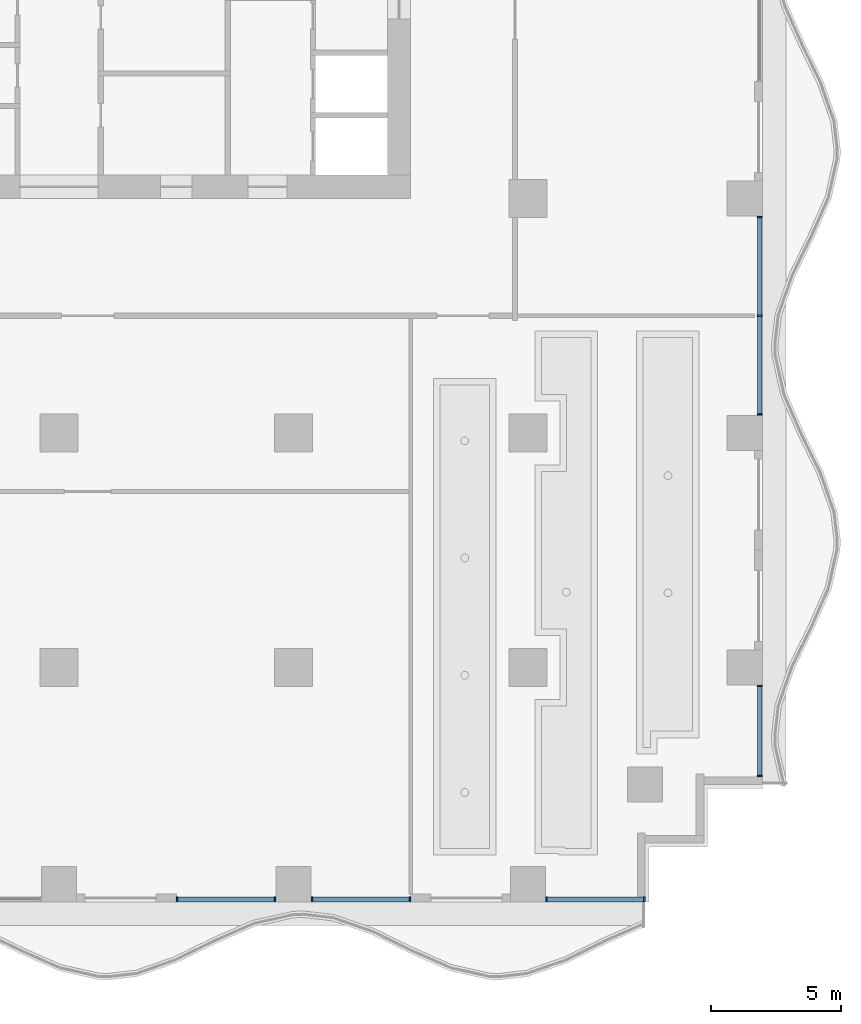
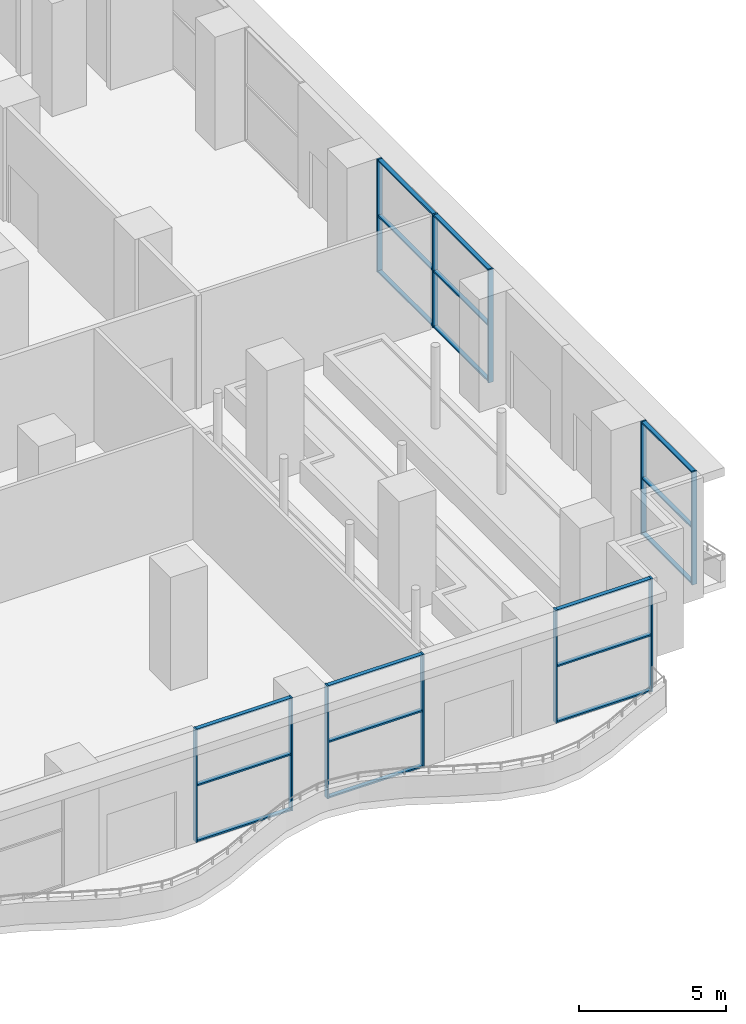
# One storey, part 3 of 18: 29 members, 5 elements without a shape of their own.
"""IFC4 building model written with IfcOpenShell, lengths in metres."""

from ifc_helpers import new_model, si_unit, direction, frame, origin, origin_2d, place, context, subcontext, project, spatial, rectangle, extrude, material, material_profile, profile_set, type_object, element, aggregate, save


model = new_model("IFC4")

# Units and contexts
model_context = context("Model", 3, precision=1e-05, world=origin(), true_north=direction((0.0, 1.0)))
body_context = subcontext(model_context, "Body", "Model", "MODEL_VIEW")
ifc_project = project(units=[si_unit("LENGTHUNIT", "METRE"), si_unit("AREAUNIT", "SQUARE_METRE"), si_unit("VOLUMEUNIT", "CUBIC_METRE"), si_unit("PLANEANGLEUNIT", "RADIAN"), si_unit("MASSUNIT", "GRAM", prefix="KILO")], contexts=[model_context])

# Site, building, storey
site_placement = place(None, origin())
site = spatial("IfcSite", under=ifc_project, at=site_placement, CompositionType="ELEMENT")
building_placement = place(site_placement, origin())
building = spatial("IfcBuilding", under=site, at=building_placement, Name="Orbiselva Terraces", CompositionType="ELEMENT")
storey_placement = place(building_placement, frame((0.0, 0.0, 64.4)))
storey = spatial("IfcBuildingStorey", under=building, at=storey_placement, Name="L16", CompositionType="ELEMENT", Elevation=64.4)

# Curtain wall, members
ifc_material_1 = material(Name="Clear low-e glazing in aluminium frame", Category="aluminium")
curtain_wall_type = type_object("IfcCurtainWallType", Name="ENV-CW-SKY", PredefinedType="NOTDEFINED", material=ifc_material_1)
curtain_wall_1_placement = place(storey_placement, origin())
curtain_wall_1 = element("IfcCurtainWall", 1, at=curtain_wall_1_placement, inside=storey, type_object=curtain_wall_type, Name="Curtain wall L16 S", PredefinedType="NOTDEFINED")
ifc_material_2 = material(Name="Anodised aluminium", Category="aluminium")
ifc_material_profile_1 = material_profile(ifc_material_2, rectangle(XDim=0.2, YDim=0.065, at=origin_2d()), Name="AL 65x200")
ifc_profile_set_1 = profile_set([ifc_material_profile_1], Name="Anodised aluminium")
member_type_1 = type_object("IfcMemberType", Name="ENV-CW-SKY-MULLION-65x200", PredefinedType="MULLION", material=ifc_profile_set_1)
member_1_placement = place(storey_placement, frame((4.5325, -22.4, 0.0), z_axis=(0.0, 0.0, 1.0), x_axis=(0.0, 1.0, 0.0)))
member_1 = element("IfcMember", 2, at=member_1_placement, type_object=member_type_1, Name="CW3 mullion 1", PredefinedType="MULLION", context=body_context, shape_type="SweptSolid", body=[
    extrude(rectangle(XDim=0.2, YDim=0.065, at=origin_2d()), origin(), (0.0, 0.0, 1.0), 4.7),
])
member_2_placement = place(storey_placement, frame((8.2925, -22.4, 0.0), z_axis=(0.0, 0.0, 1.0), x_axis=(0.0, 1.0, 0.0)))
member_2 = element("IfcMember", 3, at=member_2_placement, type_object=member_type_1, Name="CW3 mullion 2", PredefinedType="MULLION", context=body_context, shape_type="SweptSolid", body=[
    extrude(rectangle(XDim=0.2, YDim=0.065, at=origin_2d()), origin(), (0.0, 0.0, 1.0), 4.7),
])

curtain_wall_2_placement = place(storey_placement, origin())
curtain_wall_2 = element("IfcCurtainWall", 4, at=curtain_wall_2_placement, inside=storey, type_object=curtain_wall_type, Name="Curtain wall L16 S", PredefinedType="NOTDEFINED")
member_3_placement = place(storey_placement, frame((9.7075, -22.4, 0.0), z_axis=(0.0, 0.0, 1.0), x_axis=(0.0, 1.0, 0.0)))
member_3 = element("IfcMember", 5, at=member_3_placement, type_object=member_type_1, Name="CW3 mullion 1", PredefinedType="MULLION", context=body_context, shape_type="SweptSolid", body=[
    extrude(rectangle(XDim=0.2, YDim=0.065, at=origin_2d()), origin(), (0.0, 0.0, 1.0), 4.7),
])
member_4_placement = place(storey_placement, frame((13.4675, -22.4, 0.0), z_axis=(0.0, 0.0, 1.0), x_axis=(0.0, 1.0, 0.0)))
member_4 = element("IfcMember", 6, at=member_4_placement, type_object=member_type_1, Name="CW3 mullion 2", PredefinedType="MULLION", context=body_context, shape_type="SweptSolid", body=[
    extrude(rectangle(XDim=0.2, YDim=0.065, at=origin_2d()), origin(), (0.0, 0.0, 1.0), 4.7),
])

curtain_wall_3_placement = place(storey_placement, origin())
curtain_wall_3 = element("IfcCurtainWall", 7, at=curtain_wall_3_placement, inside=storey, type_object=curtain_wall_type, Name="Curtain wall L16 S", PredefinedType="NOTDEFINED")
member_5_placement = place(storey_placement, frame((18.7075, -22.4, 0.0), z_axis=(0.0, 0.0, 1.0), x_axis=(0.0, 1.0, 0.0)))
member_5 = element("IfcMember", 8, at=member_5_placement, type_object=member_type_1, Name="CW3 mullion 1", PredefinedType="MULLION", context=body_context, shape_type="SweptSolid", body=[
    extrude(rectangle(XDim=0.2, YDim=0.065, at=origin_2d()), origin(), (0.0, 0.0, 1.0), 4.7),
])
member_6_placement = place(storey_placement, frame((22.4675, -22.4, 0.0), z_axis=(0.0, 0.0, 1.0), x_axis=(0.0, 1.0, 0.0)))
member_6 = element("IfcMember", 9, at=member_6_placement, type_object=member_type_1, Name="CW3 mullion 2", PredefinedType="MULLION", context=body_context, shape_type="SweptSolid", body=[
    extrude(rectangle(XDim=0.2, YDim=0.065, at=origin_2d()), origin(), (0.0, 0.0, 1.0), 4.7),
])

curtain_wall_4_placement = place(storey_placement, origin())
curtain_wall_4 = element("IfcCurtainWall", 10, at=curtain_wall_4_placement, inside=storey, type_object=curtain_wall_type, Name="Curtain wall L16 E", PredefinedType="NOTDEFINED")
member_7_placement = place(storey_placement, frame((26.9, -17.6675, 0.0), z_axis=(0.0, 0.0, 1.0), x_axis=(-1.0, 0.0, 0.0)))
member_7 = element("IfcMember", 11, at=member_7_placement, type_object=member_type_1, Name="CW3 mullion 1", PredefinedType="MULLION", context=body_context, shape_type="SweptSolid", body=[
    extrude(rectangle(XDim=0.2, YDim=0.065, at=origin_2d()), origin(), (0.0, 0.0, 1.0), 4.7),
])
member_8_placement = place(storey_placement, frame((26.9, -14.2075, 0.0), z_axis=(0.0, 0.0, 1.0), x_axis=(-1.0, 0.0, 0.0)))
member_8 = element("IfcMember", 12, at=member_8_placement, type_object=member_type_1, Name="CW3 mullion 2", PredefinedType="MULLION", context=body_context, shape_type="SweptSolid", body=[
    extrude(rectangle(XDim=0.2, YDim=0.065, at=origin_2d()), origin(), (0.0, 0.0, 1.0), 4.7),
])

curtain_wall_5_placement = place(storey_placement, origin())
curtain_wall_5 = element("IfcCurtainWall", 13, at=curtain_wall_5_placement, inside=storey, type_object=curtain_wall_type, Name="Curtain wall L16 E", PredefinedType="NOTDEFINED")
member_9_placement = place(storey_placement, frame((26.9, -3.7925, 0.0), z_axis=(0.0, 0.0, 1.0), x_axis=(-1.0, 0.0, 0.0)))
member_9 = element("IfcMember", 14, at=member_9_placement, type_object=member_type_1, Name="CW3 mullion 1", PredefinedType="MULLION", context=body_context, shape_type="SweptSolid", body=[
    extrude(rectangle(XDim=0.2, YDim=0.065, at=origin_2d()), origin(), (0.0, 0.0, 1.0), 4.7),
])
member_10_placement = place(storey_placement, frame((26.9, 0.0, 0.0), z_axis=(0.0, 0.0, 1.0), x_axis=(-1.0, 0.0, 0.0)))
member_10 = element("IfcMember", 15, at=member_10_placement, type_object=member_type_1, Name="CW3 mullion 2", PredefinedType="MULLION", context=body_context, shape_type="SweptSolid", body=[
    extrude(rectangle(XDim=0.2, YDim=0.065, at=origin_2d()), origin(), (0.0, 0.0, 1.0), 4.7),
])
member_11_placement = place(storey_placement, frame((26.9, 3.7925, 0.0), z_axis=(0.0, 0.0, 1.0), x_axis=(-1.0, 0.0, 0.0)))
member_11 = element("IfcMember", 16, at=member_11_placement, type_object=member_type_1, Name="CW3 mullion 3", PredefinedType="MULLION", context=body_context, shape_type="SweptSolid", body=[
    extrude(rectangle(XDim=0.2, YDim=0.065, at=origin_2d()), origin(), (0.0, 0.0, 1.0), 4.7),
])

# Member
ifc_material_profile_2 = material_profile(ifc_material_2, rectangle(XDim=0.16, YDim=0.065, at=origin_2d()), Name="AL 65x160")
ifc_profile_set_2 = profile_set([ifc_material_profile_2], Name="Anodised aluminium")
member_type_2 = type_object("IfcMemberType", Name="ENV-CW-SKY-TRANSOM-65x160", PredefinedType="USERDEFINED", material=ifc_profile_set_2)
member_12_placement = place(storey_placement, frame((4.565, -22.4, 0.0325), z_axis=(1.0, 0.0, 0.0), x_axis=(0.0, 1.0, 0.0)))
member_12 = element("IfcMember", 17, at=member_12_placement, type_object=member_type_2, Name="CW3 transom 1.1", ObjectType="TRANSOM", PredefinedType="USERDEFINED", context=body_context, shape_type="SweptSolid", body=[
    extrude(rectangle(XDim=0.16, YDim=0.065, at=origin_2d()), origin(), (0.0, 0.0, 1.0), 3.695),
])

member_13_placement = place(storey_placement, frame((4.565, -22.4, 2.35), z_axis=(1.0, 0.0, 0.0), x_axis=(0.0, 1.0, 0.0)))
member_13 = element("IfcMember", 18, at=member_13_placement, type_object=member_type_2, Name="CW3 transom 1.2", ObjectType="TRANSOM", PredefinedType="USERDEFINED", context=body_context, shape_type="SweptSolid", body=[
    extrude(rectangle(XDim=0.16, YDim=0.065, at=origin_2d()), origin(), (0.0, 0.0, 1.0), 3.695),
])

member_14_placement = place(storey_placement, frame((4.565, -22.4, 4.6675), z_axis=(1.0, 0.0, 0.0), x_axis=(0.0, 1.0, 0.0)))
member_14 = element("IfcMember", 19, at=member_14_placement, type_object=member_type_2, Name="CW3 transom 1.3", ObjectType="TRANSOM", PredefinedType="USERDEFINED", context=body_context, shape_type="SweptSolid", body=[
    extrude(rectangle(XDim=0.16, YDim=0.065, at=origin_2d()), origin(), (0.0, 0.0, 1.0), 3.695),
])

aggregate(curtain_wall_1, [member_1, member_2, member_12, member_13, member_14])

member_15_placement = place(storey_placement, frame((9.74, -22.4, 0.0325), z_axis=(1.0, 0.0, 0.0), x_axis=(0.0, 1.0, 0.0)))
member_15 = element("IfcMember", 20, at=member_15_placement, type_object=member_type_2, Name="CW3 transom 1.1", ObjectType="TRANSOM", PredefinedType="USERDEFINED", context=body_context, shape_type="SweptSolid", body=[
    extrude(rectangle(XDim=0.16, YDim=0.065, at=origin_2d()), origin(), (0.0, 0.0, 1.0), 3.695),
])

member_16_placement = place(storey_placement, frame((9.74, -22.4, 2.35), z_axis=(1.0, 0.0, 0.0), x_axis=(0.0, 1.0, 0.0)))
member_16 = element("IfcMember", 21, at=member_16_placement, type_object=member_type_2, Name="CW3 transom 1.2", ObjectType="TRANSOM", PredefinedType="USERDEFINED", context=body_context, shape_type="SweptSolid", body=[
    extrude(rectangle(XDim=0.16, YDim=0.065, at=origin_2d()), origin(), (0.0, 0.0, 1.0), 3.695),
])

member_17_placement = place(storey_placement, frame((9.74, -22.4, 4.6675), z_axis=(1.0, 0.0, 0.0), x_axis=(0.0, 1.0, 0.0)))
member_17 = element("IfcMember", 22, at=member_17_placement, type_object=member_type_2, Name="CW3 transom 1.3", ObjectType="TRANSOM", PredefinedType="USERDEFINED", context=body_context, shape_type="SweptSolid", body=[
    extrude(rectangle(XDim=0.16, YDim=0.065, at=origin_2d()), origin(), (0.0, 0.0, 1.0), 3.695),
])

aggregate(curtain_wall_2, [member_3, member_4, member_15, member_16, member_17])

member_18_placement = place(storey_placement, frame((18.74, -22.4, 0.0325), z_axis=(1.0, 0.0, 0.0), x_axis=(0.0, 1.0, 0.0)))
member_18 = element("IfcMember", 23, at=member_18_placement, type_object=member_type_2, Name="CW3 transom 1.1", ObjectType="TRANSOM", PredefinedType="USERDEFINED", context=body_context, shape_type="SweptSolid", body=[
    extrude(rectangle(XDim=0.16, YDim=0.065, at=origin_2d()), origin(), (0.0, 0.0, 1.0), 3.695),
])

member_19_placement = place(storey_placement, frame((18.74, -22.4, 2.35), z_axis=(1.0, 0.0, 0.0), x_axis=(0.0, 1.0, 0.0)))
member_19 = element("IfcMember", 24, at=member_19_placement, type_object=member_type_2, Name="CW3 transom 1.2", ObjectType="TRANSOM", PredefinedType="USERDEFINED", context=body_context, shape_type="SweptSolid", body=[
    extrude(rectangle(XDim=0.16, YDim=0.065, at=origin_2d()), origin(), (0.0, 0.0, 1.0), 3.695),
])

member_20_placement = place(storey_placement, frame((18.74, -22.4, 4.6675), z_axis=(1.0, 0.0, 0.0), x_axis=(0.0, 1.0, 0.0)))
member_20 = element("IfcMember", 25, at=member_20_placement, type_object=member_type_2, Name="CW3 transom 1.3", ObjectType="TRANSOM", PredefinedType="USERDEFINED", context=body_context, shape_type="SweptSolid", body=[
    extrude(rectangle(XDim=0.16, YDim=0.065, at=origin_2d()), origin(), (0.0, 0.0, 1.0), 3.695),
])

aggregate(curtain_wall_3, [member_5, member_6, member_18, member_19, member_20])

member_21_placement = place(storey_placement, frame((26.9, -17.635, 0.0325), z_axis=(0.0, 1.0, 0.0), x_axis=(-1.0, 0.0, 0.0)))
member_21 = element("IfcMember", 26, at=member_21_placement, type_object=member_type_2, Name="CW3 transom 1.1", ObjectType="TRANSOM", PredefinedType="USERDEFINED", context=body_context, shape_type="SweptSolid", body=[
    extrude(rectangle(XDim=0.16, YDim=0.065, at=origin_2d()), origin(), (0.0, 0.0, 1.0), 3.395),
])

member_22_placement = place(storey_placement, frame((26.9, -17.635, 2.35), z_axis=(0.0, 1.0, 0.0), x_axis=(-1.0, 0.0, 0.0)))
member_22 = element("IfcMember", 27, at=member_22_placement, type_object=member_type_2, Name="CW3 transom 1.2", ObjectType="TRANSOM", PredefinedType="USERDEFINED", context=body_context, shape_type="SweptSolid", body=[
    extrude(rectangle(XDim=0.16, YDim=0.065, at=origin_2d()), origin(), (0.0, 0.0, 1.0), 3.395),
])

member_23_placement = place(storey_placement, frame((26.9, -17.635, 4.6675), z_axis=(0.0, 1.0, 0.0), x_axis=(-1.0, 0.0, 0.0)))
member_23 = element("IfcMember", 28, at=member_23_placement, type_object=member_type_2, Name="CW3 transom 1.3", ObjectType="TRANSOM", PredefinedType="USERDEFINED", context=body_context, shape_type="SweptSolid", body=[
    extrude(rectangle(XDim=0.16, YDim=0.065, at=origin_2d()), origin(), (0.0, 0.0, 1.0), 3.395),
])

aggregate(curtain_wall_4, [member_7, member_8, member_21, member_22, member_23])

member_24_placement = place(storey_placement, frame((26.9, -3.76, 0.0325), z_axis=(0.0, 1.0, 0.0), x_axis=(-1.0, 0.0, 0.0)))
member_24 = element("IfcMember", 29, at=member_24_placement, type_object=member_type_2, Name="CW3 transom 1.1", ObjectType="TRANSOM", PredefinedType="USERDEFINED", context=body_context, shape_type="SweptSolid", body=[
    extrude(rectangle(XDim=0.16, YDim=0.065, at=origin_2d()), origin(), (0.0, 0.0, 1.0), 3.7275),
])

member_25_placement = place(storey_placement, frame((26.9, -3.76, 2.35), z_axis=(0.0, 1.0, 0.0), x_axis=(-1.0, 0.0, 0.0)))
member_25 = element("IfcMember", 30, at=member_25_placement, type_object=member_type_2, Name="CW3 transom 1.2", ObjectType="TRANSOM", PredefinedType="USERDEFINED", context=body_context, shape_type="SweptSolid", body=[
    extrude(rectangle(XDim=0.16, YDim=0.065, at=origin_2d()), origin(), (0.0, 0.0, 1.0), 3.7275),
])

member_26_placement = place(storey_placement, frame((26.9, -3.76, 4.6675), z_axis=(0.0, 1.0, 0.0), x_axis=(-1.0, 0.0, 0.0)))
member_26 = element("IfcMember", 31, at=member_26_placement, type_object=member_type_2, Name="CW3 transom 1.3", ObjectType="TRANSOM", PredefinedType="USERDEFINED", context=body_context, shape_type="SweptSolid", body=[
    extrude(rectangle(XDim=0.16, YDim=0.065, at=origin_2d()), origin(), (0.0, 0.0, 1.0), 3.7275),
])

member_27_placement = place(storey_placement, frame((26.9, 0.0325, 0.0325), z_axis=(0.0, 1.0, 0.0), x_axis=(-1.0, 0.0, 0.0)))
member_27 = element("IfcMember", 32, at=member_27_placement, type_object=member_type_2, Name="CW3 transom 2.1", ObjectType="TRANSOM", PredefinedType="USERDEFINED", context=body_context, shape_type="SweptSolid", body=[
    extrude(rectangle(XDim=0.16, YDim=0.065, at=origin_2d()), origin(), (0.0, 0.0, 1.0), 3.7275),
])

member_28_placement = place(storey_placement, frame((26.9, 0.0325, 2.35), z_axis=(0.0, 1.0, 0.0), x_axis=(-1.0, 0.0, 0.0)))
member_28 = element("IfcMember", 33, at=member_28_placement, type_object=member_type_2, Name="CW3 transom 2.2", ObjectType="TRANSOM", PredefinedType="USERDEFINED", context=body_context, shape_type="SweptSolid", body=[
    extrude(rectangle(XDim=0.16, YDim=0.065, at=origin_2d()), origin(), (0.0, 0.0, 1.0), 3.7275),
])

member_29_placement = place(storey_placement, frame((26.9, 0.0325, 4.6675), z_axis=(0.0, 1.0, 0.0), x_axis=(-1.0, 0.0, 0.0)))
member_29 = element("IfcMember", 34, at=member_29_placement, type_object=member_type_2, Name="CW3 transom 2.3", ObjectType="TRANSOM", PredefinedType="USERDEFINED", context=body_context, shape_type="SweptSolid", body=[
    extrude(rectangle(XDim=0.16, YDim=0.065, at=origin_2d()), origin(), (0.0, 0.0, 1.0), 3.7275),
])

aggregate(curtain_wall_5, [member_9, member_10, member_11, member_24, member_25, member_26, member_27, member_28, member_29])

save(model, "model.ifc")
